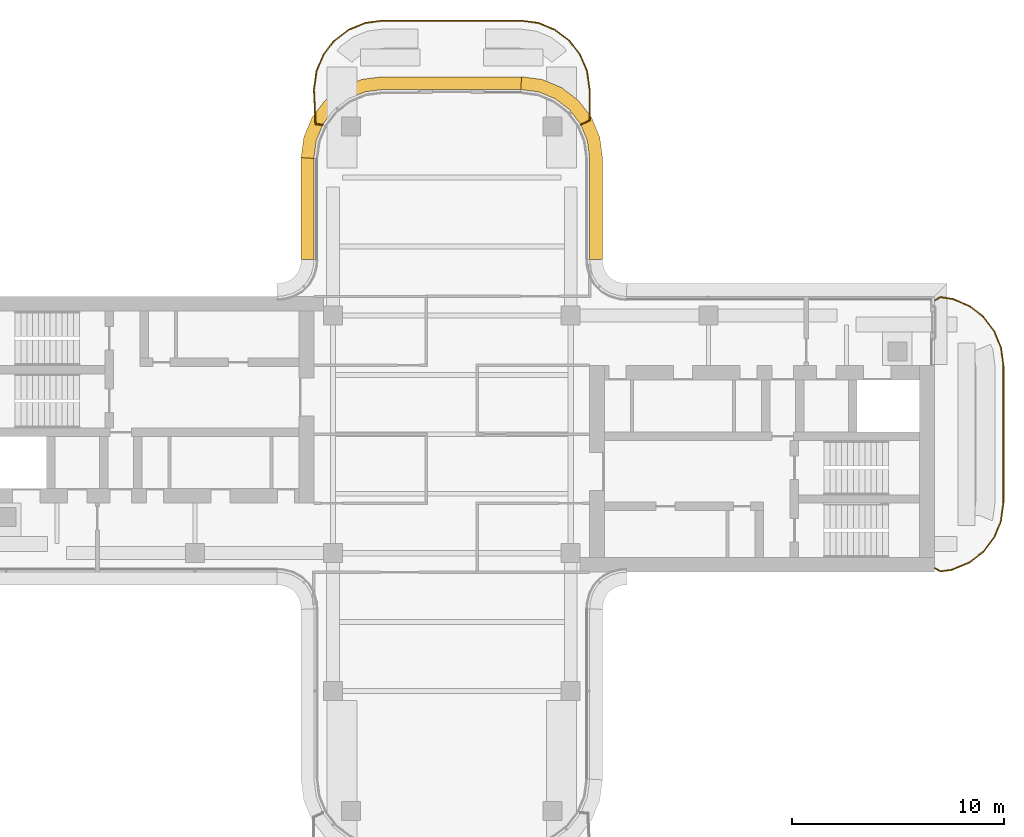
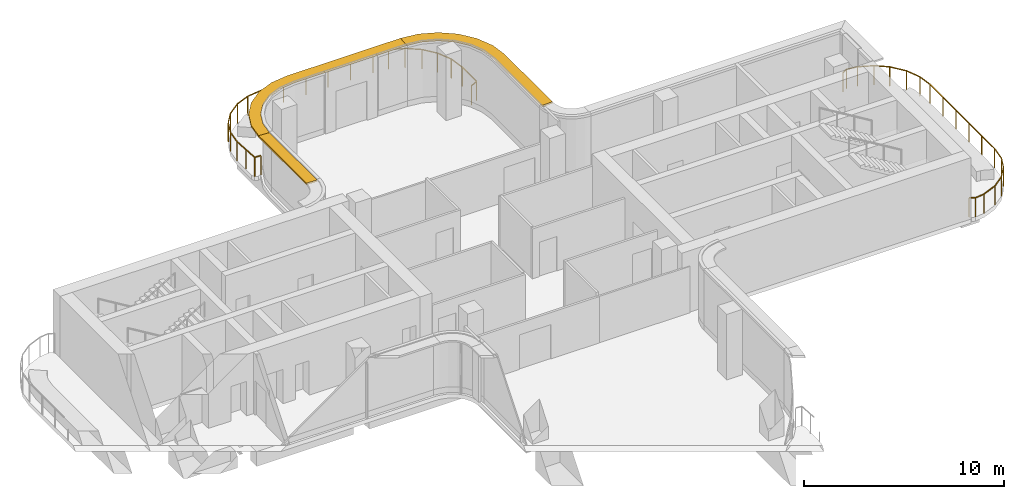
# One storey, part 18 of 18: 3 shading devices, 2 railings.
"""IFC4 building model written with IfcOpenShell, lengths in metres."""

from ifc_helpers import new_model, si_unit, direction, frame, origin, origin_2d, place, context, subcontext, project, spatial, polyline, rectangle, outline, extrude, source, transform, mapped, material, layer, layer_set, type_object, element, save


model = new_model("IFC4")

# Units and contexts
model_context = context("Model", 3, precision=1e-05, world=origin(), true_north=direction((0.0, 1.0)))
body_context = subcontext(model_context, "Body", "Model", "MODEL_VIEW")
ifc_project = project(units=[si_unit("LENGTHUNIT", "METRE"), si_unit("AREAUNIT", "SQUARE_METRE"), si_unit("VOLUMEUNIT", "CUBIC_METRE"), si_unit("PLANEANGLEUNIT", "RADIAN"), si_unit("MASSUNIT", "GRAM", prefix="KILO")], contexts=[model_context])

# Site, building, storey
site_placement = place(None, origin())
site = spatial("IfcSite", under=ifc_project, at=site_placement, CompositionType="ELEMENT")
building_placement = place(site_placement, origin())
building = spatial("IfcBuilding", under=site, at=building_placement, Name="Trellis Farm Tower", CompositionType="ELEMENT")
storey_placement = place(building_placement, frame((0.0, 0.0, 338.10009765625)))
storey = spatial("IfcBuildingStorey", under=building, at=storey_placement, Name="L76", CompositionType="ELEMENT", Elevation=338.10009765625)

# Railings
ifc_material_1 = material(Name="Stainless steel 316", Category="steel")
railing_type = type_object("IfcRailingType", Name="BALUSTRADE GUARD 1200", PredefinedType="GUARDRAIL", material=ifc_material_1)
railing_1_placement = place(storey_placement, frame((-6.078369140625, 14.591552734375, 0.0)))
element("IfcRailing", 1, at=railing_1_placement, inside=storey, type_object=railing_type, Name="GD2 TER-2", PredefinedType="GUARDRAIL", context=body_context, shape_type="SweptSolid", body=[
    extrude(rectangle(XDim=0.050048828125, YDim=0.050048828125, at=origin_2d()), frame((0.0, 0.0, 1.1748046875), z_axis=(-0.998595991784, 0.052972117127, 0.0), x_axis=(-0.052972117127, -0.998595991784, 0.0)), (0.0, 0.0, 1.0), 0.341064453125),
    extrude(rectangle(XDim=0.050048828125, YDim=0.050048828125, at=origin_2d()), frame((-0.340576171875, 0.01806640625, 1.1748046875), z_axis=(-0.049847755092, 0.998756827918, 0.0), x_axis=(-0.998756827918, -0.049847755092, 0.0)), (0.0, 0.0, 1.0), 1.6259765625),
    extrude(rectangle(XDim=0.050048828125, YDim=0.050048828125, at=origin_2d()), frame((-0.421630859375, 1.64208984375, 1.1748046875), z_axis=(0.137531262137, 0.990497426516, 0.0), x_axis=(-0.990497426516, 0.137531262137, 0.0)), (0.0, 0.0, 1.0), 0.896484375),
    extrude(rectangle(XDim=0.050048828125, YDim=0.050048828125, at=origin_2d()), frame((-0.29833984375, 2.530029296875, 1.1748046875), z_axis=(0.392110431343, 0.919918153768, 0.0), x_axis=(-0.919918153768, 0.392110431343, 0.0)), (0.0, 0.0, 1.0), 0.847412109375),
    extrude(rectangle(XDim=0.050048828125, YDim=0.050048828125, at=origin_2d()), frame((0.033935546875, 3.3095703125, 1.1748046875), z_axis=(0.608700054987, 0.793400430463, 0.0), x_axis=(-0.793400430463, 0.608700054987, 0.0)), (0.0, 0.0, 1.0), 0.782470703125),
    extrude(rectangle(XDim=0.050048828125, YDim=0.050048828125, at=origin_2d()), frame((0.51025390625, 3.930419921875, 1.1748046875), z_axis=(0.793399515431, 0.608701247669, 0.0), x_axis=(-0.608701247669, 0.793399515431, 0.0)), (0.0, 0.0, 1.0), 0.912109375),
    extrude(rectangle(XDim=0.050048828125, YDim=0.050048828125, at=origin_2d()), frame((1.23388671875, 4.485595703125, 1.1748046875), z_axis=(0.927639628134, 0.373476532483, 0.0), x_axis=(-0.373476532483, 0.927639628134, 0.0)), (0.0, 0.0, 1.0), 0.84716796875),
    extrude(rectangle(XDim=0.050048828125, YDim=0.050048828125, at=origin_2d()), frame((2.019775390625, 4.802001953125, 1.1748046875), z_axis=(0.991777866634, 0.12797133763, 0.0), x_axis=(-0.12797133763, 0.991777866634, 0.0)), (0.0, 0.0, 1.0), 0.831787109375),
    extrude(rectangle(XDim=0.050048828125, YDim=0.050048828125, at=origin_2d()), frame((2.8447265625, 4.908447265625, 1.1748046875), z_axis=(1.0, 0.0, 0.0), x_axis=(0.0, 1.0, 0.0)), (0.0, 0.0, 1.0), 6.46728515625),
    extrude(rectangle(XDim=0.050048828125, YDim=0.050048828125, at=origin_2d()), frame((9.31201171875, 4.908447265625, 1.1748046875), z_axis=(0.991777866634, -0.12797133763, 0.0), x_axis=(0.12797133763, 0.991777866634, 0.0)), (0.0, 0.0, 1.0), 0.831787109375),
    extrude(rectangle(XDim=0.050048828125, YDim=0.050048828125, at=origin_2d()), frame((10.136962890625, 4.802001953125, 1.1748046875), z_axis=(0.927639628134, -0.373476532483, 0.0), x_axis=(0.373476532483, 0.927639628134, 0.0)), (0.0, 0.0, 1.0), 0.84716796875),
    extrude(rectangle(XDim=0.050048828125, YDim=0.050048828125, at=origin_2d()), frame((10.9228515625, 4.485595703125, 1.1748046875), z_axis=(0.799481118844, -0.600691219023, 0.0), x_axis=(0.600691219023, 0.799481118844, 0.0)), (0.0, 0.0, 1.0), 0.847412109375),
    extrude(rectangle(XDim=0.050048828125, YDim=0.050048828125, at=origin_2d()), frame((11.600341796875, 3.9765625, 1.1748046875), z_axis=(0.616650070044, -0.78723737914, 0.0), x_axis=(0.78723737914, 0.616650070044, 0.0)), (0.0, 0.0, 1.0), 0.84716796875),
    extrude(rectangle(XDim=0.050048828125, YDim=0.050048828125, at=origin_2d()), frame((12.122802734375, 3.3095703125, 1.1748046875), z_axis=(0.392110431343, -0.919918153768, 0.0), x_axis=(0.919918153768, 0.392110431343, 0.0)), (0.0, 0.0, 1.0), 0.847412109375),
    extrude(rectangle(XDim=0.050048828125, YDim=0.050048828125, at=origin_2d()), frame((12.455078125, 2.530029296875, 1.1748046875), z_axis=(0.137531262137, -0.990497426516, 0.0), x_axis=(0.990497426516, 0.137531262137, 0.0)), (0.0, 0.0, 1.0), 0.896484375),
    extrude(rectangle(XDim=0.050048828125, YDim=0.050048828125, at=origin_2d()), frame((12.578369140625, 1.64208984375, 1.1748046875), z_axis=(0.0, -1.0, 0.0), x_axis=(1.0, 0.0, 0.0)), (0.0, 0.0, 1.0), 1.439697265625),
    extrude(rectangle(XDim=0.050048828125, YDim=0.050048828125, at=origin_2d()), frame((12.578369140625, 0.202392578125, 1.1748046875), z_axis=(-0.901514911476, -0.432748037993, 0.0), x_axis=(0.432748037993, -0.901514911476, 0.0)), (0.0, 0.0, 1.0), 0.4677734375),
    extrude(rectangle(XDim=0.0400390625, YDim=0.0400390625, at=origin_2d()), origin(), (0.0, 0.0, 1.0), 1.14990234375),
    extrude(rectangle(XDim=0.0400390625, YDim=0.0400390625, at=origin_2d()), frame((-0.340576171875, 0.01806640625, 0.0)), (0.0, 0.0, 1.0), 1.14990234375),
    extrude(rectangle(XDim=0.0400390625, YDim=0.0400390625, at=origin_2d()), frame((-0.381103515625, 0.830078125, 0.0)), (0.0, 0.0, 1.0), 1.14990234375),
    extrude(rectangle(XDim=0.0400390625, YDim=0.0400390625, at=origin_2d()), frame((-0.421630859375, 1.64208984375, 0.0)), (0.0, 0.0, 1.0), 1.14990234375),
    extrude(rectangle(XDim=0.0400390625, YDim=0.0400390625, at=origin_2d()), frame((-0.29833984375, 2.530029296875, 0.0)), (0.0, 0.0, 1.0), 1.14990234375),
    extrude(rectangle(XDim=0.0400390625, YDim=0.0400390625, at=origin_2d()), frame((0.033935546875, 3.3095703125, 0.0)), (0.0, 0.0, 1.0), 1.14990234375),
    extrude(rectangle(XDim=0.0400390625, YDim=0.0400390625, at=origin_2d()), frame((0.51025390625, 3.930419921875, 0.0)), (0.0, 0.0, 1.0), 1.14990234375),
    extrude(rectangle(XDim=0.0400390625, YDim=0.0400390625, at=origin_2d()), frame((1.23388671875, 4.485595703125, 0.0)), (0.0, 0.0, 1.0), 1.14990234375),
    extrude(rectangle(XDim=0.0400390625, YDim=0.0400390625, at=origin_2d()), frame((2.019775390625, 4.802001953125, 0.0)), (0.0, 0.0, 1.0), 1.14990234375),
    extrude(rectangle(XDim=0.0400390625, YDim=0.0400390625, at=origin_2d()), frame((2.8447265625, 4.908447265625, 0.0)), (0.0, 0.0, 1.0), 1.14990234375),
    extrude(rectangle(XDim=0.0400390625, YDim=0.0400390625, at=origin_2d()), frame((4.13818359375, 4.908447265625, 0.0)), (0.0, 0.0, 1.0), 1.14990234375),
    extrude(rectangle(XDim=0.0400390625, YDim=0.0400390625, at=origin_2d()), frame((5.431640625, 4.908447265625, 0.0)), (0.0, 0.0, 1.0), 1.14990234375),
    extrude(rectangle(XDim=0.0400390625, YDim=0.0400390625, at=origin_2d()), frame((6.72509765625, 4.908447265625, 0.0)), (0.0, 0.0, 1.0), 1.14990234375),
    extrude(rectangle(XDim=0.0400390625, YDim=0.0400390625, at=origin_2d()), frame((8.0185546875, 4.908447265625, 0.0)), (0.0, 0.0, 1.0), 1.14990234375),
    extrude(rectangle(XDim=0.0400390625, YDim=0.0400390625, at=origin_2d()), frame((9.31201171875, 4.908447265625, 0.0)), (0.0, 0.0, 1.0), 1.14990234375),
    extrude(rectangle(XDim=0.0400390625, YDim=0.0400390625, at=origin_2d()), frame((10.136962890625, 4.802001953125, 0.0)), (0.0, 0.0, 1.0), 1.14990234375),
    extrude(rectangle(XDim=0.0400390625, YDim=0.0400390625, at=origin_2d()), frame((10.9228515625, 4.485595703125, 0.0)), (0.0, 0.0, 1.0), 1.14990234375),
    extrude(rectangle(XDim=0.0400390625, YDim=0.0400390625, at=origin_2d()), frame((11.600341796875, 3.9765625, 0.0)), (0.0, 0.0, 1.0), 1.14990234375),
    extrude(rectangle(XDim=0.0400390625, YDim=0.0400390625, at=origin_2d()), frame((12.122802734375, 3.3095703125, 0.0)), (0.0, 0.0, 1.0), 1.14990234375),
    extrude(rectangle(XDim=0.0400390625, YDim=0.0400390625, at=origin_2d()), frame((12.455078125, 2.530029296875, 0.0)), (0.0, 0.0, 1.0), 1.14990234375),
    extrude(rectangle(XDim=0.0400390625, YDim=0.0400390625, at=origin_2d()), frame((12.578369140625, 1.64208984375, 0.0)), (0.0, 0.0, 1.0), 1.14990234375),
    extrude(rectangle(XDim=0.0400390625, YDim=0.0400390625, at=origin_2d()), frame((12.578369140625, 0.202392578125, 0.0)), (0.0, 0.0, 1.0), 1.14990234375),
    extrude(rectangle(XDim=0.0400390625, YDim=0.0400390625, at=origin_2d()), frame((12.15673828125, 0.0, 0.0)), (0.0, 0.0, 1.0), 1.14990234375),
])
railing_2_placement = place(storey_placement, frame((22.75, 6.30322265625, 0.0)))
element("IfcRailing", 2, at=railing_2_placement, inside=storey, type_object=railing_type, Name="GD2 TER-4", PredefinedType="GUARDRAIL", context=body_context, shape_type="SweptSolid", body=[
    extrude(rectangle(XDim=0.050048828125, YDim=0.050048828125, at=origin_2d()), frame((0.0, 0.0, 1.1748046875), z_axis=(0.87073084028, 0.491759904614, 0.0), x_axis=(-0.491759904614, 0.87073084028, 0.0)), (0.0, 0.0, 1.0), 0.32470703125),
    extrude(rectangle(XDim=0.050048828125, YDim=0.050048828125, at=origin_2d()), frame((0.28271484375, 0.15966796875, 1.1748046875), z_axis=(0.989459630572, -0.144808975784, 0.0), x_axis=(0.144808975784, 0.989459630572, 0.0)), (0.0, 0.0, 1.0), 0.59521484375),
    extrude(rectangle(XDim=0.050048828125, YDim=0.050048828125, at=origin_2d()), frame((0.87158203125, 0.073486328125, 1.1748046875), z_axis=(0.919918153768, -0.392110431343, 0.0), x_axis=(0.392110431343, 0.919918153768, 0.0)), (0.0, 0.0, 1.0), 0.847412109375),
    extrude(rectangle(XDim=0.050048828125, YDim=0.050048828125, at=origin_2d()), frame((1.651123046875, -0.2587890625, 1.1748046875), z_axis=(0.793400430463, -0.608700054987, 0.0), x_axis=(0.608700054987, 0.793400430463, 0.0)), (0.0, 0.0, 1.0), 0.782470703125),
    extrude(rectangle(XDim=0.050048828125, YDim=0.050048828125, at=origin_2d()), frame((2.27197265625, -0.735107421875, 1.1748046875), z_axis=(0.608701247669, -0.793399515431, 0.0), x_axis=(0.793399515431, 0.608701247669, 0.0)), (0.0, 0.0, 1.0), 0.912109375),
    extrude(rectangle(XDim=0.050048828125, YDim=0.050048828125, at=origin_2d()), frame((2.8271484375, -1.458740234375, 1.1748046875), z_axis=(0.373476532483, -0.927639628134, 0.0), x_axis=(0.927639628134, 0.373476532483, 0.0)), (0.0, 0.0, 1.0), 0.84716796875),
    extrude(rectangle(XDim=0.050048828125, YDim=0.050048828125, at=origin_2d()), frame((3.1435546875, -2.24462890625, 1.1748046875), z_axis=(0.12797133763, -0.991777866634, 0.0), x_axis=(0.991777866634, 0.12797133763, 0.0)), (0.0, 0.0, 1.0), 0.831787109375),
    extrude(rectangle(XDim=0.050048828125, YDim=0.050048828125, at=origin_2d()), frame((3.25, -3.069580078125, 1.1748046875), z_axis=(0.0, -1.0, 0.0), x_axis=(1.0, 0.0, 0.0)), (0.0, 0.0, 1.0), 6.46728515625),
    extrude(rectangle(XDim=0.050048828125, YDim=0.050048828125, at=origin_2d()), frame((3.25, -9.536865234375, 1.1748046875), z_axis=(-0.137531262137, -0.990497426516, 0.0), x_axis=(0.990497426516, -0.137531262137, 0.0)), (0.0, 0.0, 1.0), 0.896484375),
    extrude(rectangle(XDim=0.050048828125, YDim=0.050048828125, at=origin_2d()), frame((3.126708984375, -10.4248046875, 1.1748046875), z_axis=(-0.38282021408, -0.923822863807, 0.0), x_axis=(0.923822863807, -0.38282021408, 0.0)), (0.0, 0.0, 1.0), 0.782470703125),
    extrude(rectangle(XDim=0.050048828125, YDim=0.050048828125, at=origin_2d()), frame((2.8271484375, -11.147705078125, 1.1748046875), z_axis=(-0.600691219023, -0.799481118844, 0.0), x_axis=(0.799481118844, -0.600691219023, 0.0)), (0.0, 0.0, 1.0), 0.847412109375),
    extrude(rectangle(XDim=0.050048828125, YDim=0.050048828125, at=origin_2d()), frame((2.318115234375, -11.8251953125, 1.1748046875), z_axis=(-0.78723737914, -0.616650070044, 0.0), x_axis=(0.616650070044, -0.78723737914, 0.0)), (0.0, 0.0, 1.0), 0.84716796875),
    extrude(rectangle(XDim=0.050048828125, YDim=0.050048828125, at=origin_2d()), frame((1.651123046875, -12.34765625, 1.1748046875), z_axis=(-0.923827563852, -0.382808871721, 0.0), x_axis=(0.382808871721, -0.923827563852, 0.0)), (0.0, 0.0, 1.0), 0.912109375),
    extrude(rectangle(XDim=0.050048828125, YDim=0.050048828125, at=origin_2d()), frame((0.80859375, -12.69677734375, 1.1748046875), z_axis=(-0.991419795585, -0.130716444729, 0.0), x_axis=(0.130716444729, -0.991419795585, 0.0)), (0.0, 0.0, 1.0), 0.530517578125),
    extrude(rectangle(XDim=0.050048828125, YDim=0.050048828125, at=origin_2d()), frame((0.28271484375, -12.76611328125, 1.1748046875), z_axis=(-0.87073084028, 0.491759904614, 0.0), x_axis=(-0.491759904614, -0.87073084028, 0.0)), (0.0, 0.0, 1.0), 0.32470703125),
    extrude(rectangle(XDim=0.0400390625, YDim=0.0400390625, at=origin_2d()), origin(), (0.0, 0.0, 1.0), 1.14990234375),
    extrude(rectangle(XDim=0.0400390625, YDim=0.0400390625, at=origin_2d()), frame((0.28271484375, 0.15966796875, 0.0)), (0.0, 0.0, 1.0), 1.14990234375),
    extrude(rectangle(XDim=0.0400390625, YDim=0.0400390625, at=origin_2d()), frame((0.87158203125, 0.073486328125, 0.0)), (0.0, 0.0, 1.0), 1.14990234375),
    extrude(rectangle(XDim=0.0400390625, YDim=0.0400390625, at=origin_2d()), frame((1.651123046875, -0.2587890625, 0.0)), (0.0, 0.0, 1.0), 1.14990234375),
    extrude(rectangle(XDim=0.0400390625, YDim=0.0400390625, at=origin_2d()), frame((2.27197265625, -0.735107421875, 0.0)), (0.0, 0.0, 1.0), 1.14990234375),
    extrude(rectangle(XDim=0.0400390625, YDim=0.0400390625, at=origin_2d()), frame((2.8271484375, -1.458740234375, 0.0)), (0.0, 0.0, 1.0), 1.14990234375),
    extrude(rectangle(XDim=0.0400390625, YDim=0.0400390625, at=origin_2d()), frame((3.1435546875, -2.24462890625, 0.0)), (0.0, 0.0, 1.0), 1.14990234375),
    extrude(rectangle(XDim=0.0400390625, YDim=0.0400390625, at=origin_2d()), frame((3.25, -3.069580078125, 0.0)), (0.0, 0.0, 1.0), 1.14990234375),
    extrude(rectangle(XDim=0.0400390625, YDim=0.0400390625, at=origin_2d()), frame((3.25, -4.363037109375, 0.0)), (0.0, 0.0, 1.0), 1.14990234375),
    extrude(rectangle(XDim=0.0400390625, YDim=0.0400390625, at=origin_2d()), frame((3.25, -5.656494140625, 0.0)), (0.0, 0.0, 1.0), 1.14990234375),
    extrude(rectangle(XDim=0.0400390625, YDim=0.0400390625, at=origin_2d()), frame((3.25, -6.949951171875, 0.0)), (0.0, 0.0, 1.0), 1.14990234375),
    extrude(rectangle(XDim=0.0400390625, YDim=0.0400390625, at=origin_2d()), frame((3.25, -8.243408203125, 0.0)), (0.0, 0.0, 1.0), 1.14990234375),
    extrude(rectangle(XDim=0.0400390625, YDim=0.0400390625, at=origin_2d()), frame((3.25, -9.536865234375, 0.0)), (0.0, 0.0, 1.0), 1.14990234375),
    extrude(rectangle(XDim=0.0400390625, YDim=0.0400390625, at=origin_2d()), frame((3.126708984375, -10.4248046875, 0.0)), (0.0, 0.0, 1.0), 1.14990234375),
    extrude(rectangle(XDim=0.0400390625, YDim=0.0400390625, at=origin_2d()), frame((2.8271484375, -11.147705078125, 0.0)), (0.0, 0.0, 1.0), 1.14990234375),
    extrude(rectangle(XDim=0.0400390625, YDim=0.0400390625, at=origin_2d()), frame((2.318115234375, -11.8251953125, 0.0)), (0.0, 0.0, 1.0), 1.14990234375),
    extrude(rectangle(XDim=0.0400390625, YDim=0.0400390625, at=origin_2d()), frame((1.651123046875, -12.34765625, 0.0)), (0.0, 0.0, 1.0), 1.14990234375),
    extrude(rectangle(XDim=0.0400390625, YDim=0.0400390625, at=origin_2d()), frame((0.80859375, -12.69677734375, 0.0)), (0.0, 0.0, 1.0), 1.14990234375),
    extrude(rectangle(XDim=0.0400390625, YDim=0.0400390625, at=origin_2d()), frame((0.28271484375, -12.76611328125, 0.0)), (0.0, 0.0, 1.0), 1.14990234375),
    extrude(rectangle(XDim=0.0400390625, YDim=0.0400390625, at=origin_2d()), frame((0.0, -12.6064453125, 0.0)), (0.0, 0.0, 1.0), 1.14990234375),
])

# Shading devices
ifc_material_2 = material(Name="Aluminium extrusion 6063-T6", Category="aluminium")
ifc_layer = layer(ifc_material_2, 0.10009765625)
ifc_layer_set = layer_set([ifc_layer], Name="SUNSHADE BLADE 600")
shading_device_type = type_object("IfcShadingDeviceType", Name="SUNSHADE BLADE 600", PredefinedType="USERDEFINED", material=ifc_layer_set)
shared_shape_1 = source(origin(), body_context, "Body", "SweptSolid", [
    extrude(outline(polyline([(7.10009765625, 8.2509765625), (7.10009765625, 13.039306640625), (6.973876953125, 13.997802734375), (6.588623046875, 14.927490234375), (5.97607421875, 15.72607421875), (5.177490234375, 16.338623046875), (4.247802734375, 16.723876953125), (3.289306640625, 16.85009765625), (3.25, 16.25), (4.091064453125, 16.13916015625), (4.875, 15.814697265625), (5.548095703125, 15.298095703125), (6.064697265625, 14.625), (6.38916015625, 13.841064453125), (6.5, 13.0), (6.5, 8.2314453125), (7.10009765625, 8.2509765625)])), origin(), (0.0, 0.0, 1.0), 0.10009765625),
])
placement = place(storey_placement, frame((0.0, 0.0, 3.58984375)))
element("IfcShadingDevice", 3, at=placement, inside=storey, type_object=shading_device_type, Name="SD3 008", ObjectType="SUNSHADE", PredefinedType="USERDEFINED", context=body_context, shape_type="MappedRepresentation", body=[
    mapped(shared_shape_1, transform((0.0, 0.0, 0.0))),
])
shared_shape_2 = source(origin(), body_context, "Body", "SweptSolid", [
    extrude(outline(polyline([(3.289306640625, 16.85009765625), (-3.289306640625, 16.85009765625), (-4.247802734375, 16.723876953125), (-5.177490234375, 16.338623046875), (-5.97607421875, 15.72607421875), (-6.588623046875, 14.927490234375), (-6.973876953125, 13.997802734375), (-7.10009765625, 13.039306640625), (-6.5, 13.0), (-6.38916015625, 13.841064453125), (-6.064697265625, 14.625), (-5.548095703125, 15.298095703125), (-4.875, 15.814697265625), (-4.091064453125, 16.13916015625), (-3.25, 16.25), (3.25, 16.25), (3.289306640625, 16.85009765625)])), origin(), (0.0, 0.0, 1.0), 0.10009765625),
])
element("IfcShadingDevice", 4, at=placement, inside=storey, type_object=shading_device_type, Name="SD3 009", ObjectType="SUNSHADE", PredefinedType="USERDEFINED", context=body_context, shape_type="MappedRepresentation", body=[
    mapped(shared_shape_2, transform((0.0, 0.0, 0.0))),
])
shared_shape_3 = source(origin(), body_context, "Body", "SweptSolid", [
    extrude(outline(polyline([(-7.10009765625, 13.039306640625), (-7.10009765625, 8.2509765625), (-6.5, 8.2314453125), (-6.5, 13.0), (-7.10009765625, 13.039306640625)])), origin(), (0.0, 0.0, 1.0), 0.10009765625),
])
element("IfcShadingDevice", 5, at=placement, inside=storey, type_object=shading_device_type, Name="SD3 010", ObjectType="SUNSHADE", PredefinedType="USERDEFINED", context=body_context, shape_type="MappedRepresentation", body=[
    mapped(shared_shape_3, transform((0.0, 0.0, 0.0))),
])

save(model, "model.ifc")
